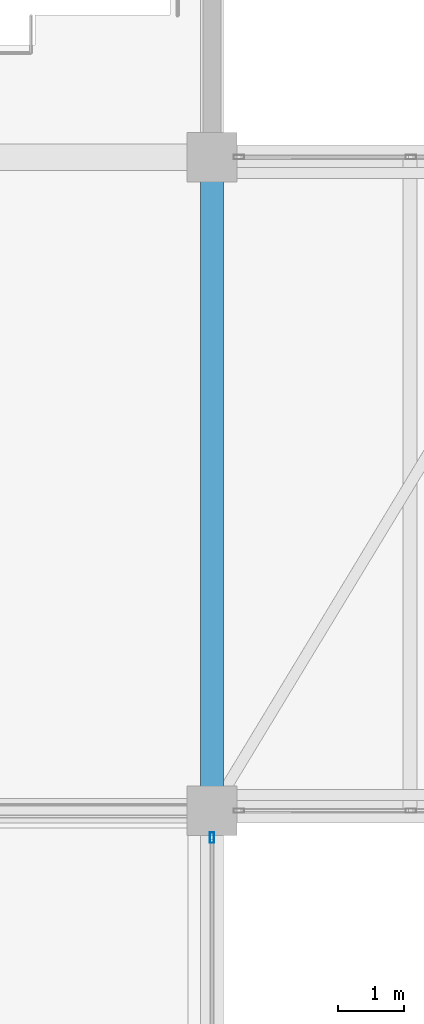
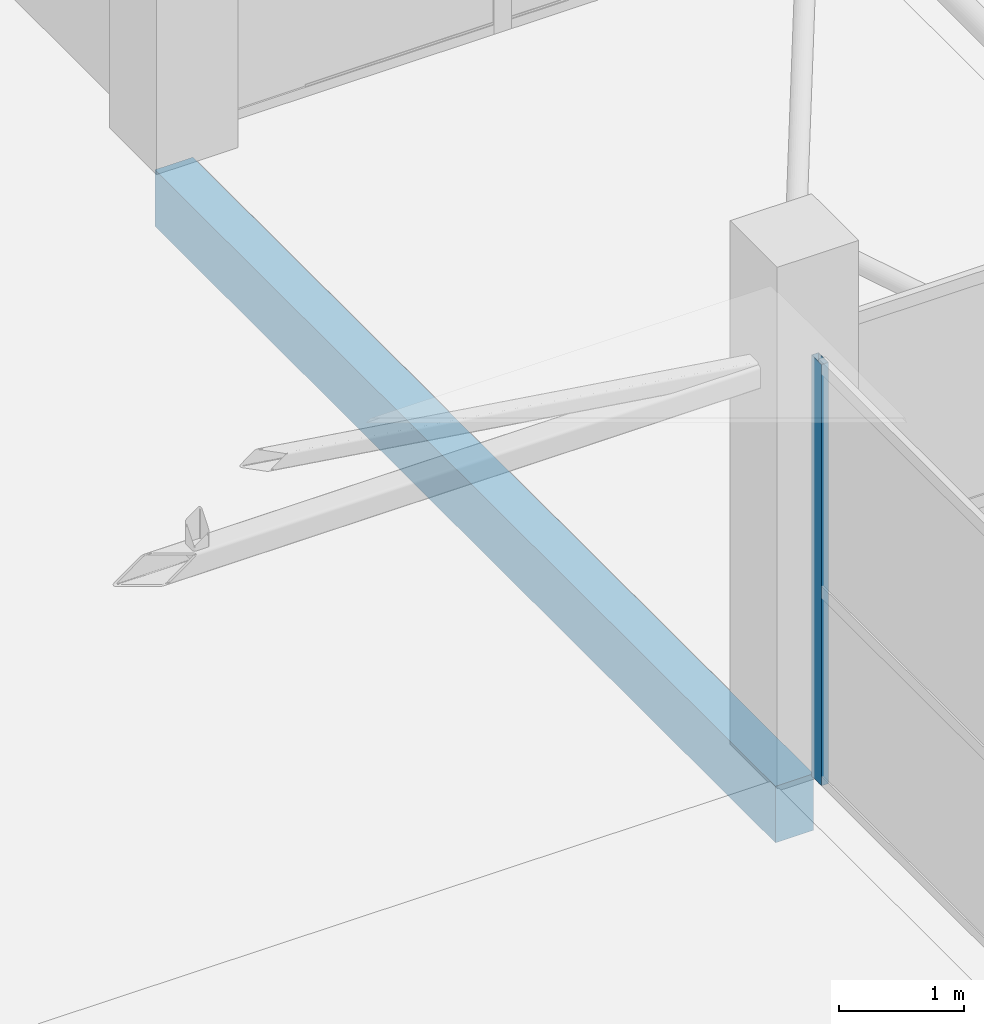
# One storey, part 30 of 67: 1 beam, 1 member, 1 element without a shape of its own.
"""IFC4 building model written with IfcOpenShell, lengths in metres."""

from ifc_helpers import new_model, si_unit, direction, frame, origin, origin_2d, place, context, subcontext, project, spatial, rectangle, hollow_rectangle, extrude, material, layer, layer_set, material_profile, profile_set, type_object, element, aggregate, save


model = new_model("IFC4")

# Units and contexts
model_context = context("Model", 3, precision=1e-05, world=origin(), true_north=direction((0.0, 1.0)))
body_context = subcontext(model_context, "Body", "Model", "MODEL_VIEW")
ifc_project = project(units=[si_unit("LENGTHUNIT", "METRE"), si_unit("AREAUNIT", "SQUARE_METRE"), si_unit("VOLUMEUNIT", "CUBIC_METRE"), si_unit("PLANEANGLEUNIT", "RADIAN"), si_unit("MASSUNIT", "GRAM", prefix="KILO")], contexts=[model_context])

# Site, building, storey
site_placement = place(None, origin())
site = spatial("IfcSite", under=ifc_project, at=site_placement, CompositionType="ELEMENT")
building_placement = place(site_placement, origin())
building = spatial("IfcBuilding", under=site, at=building_placement, Name="Sillaruma Civic Art Gallery", CompositionType="ELEMENT")
storey_placement = place(building_placement, frame((0.0, 0.0, 46.919921875)))
storey = spatial("IfcBuildingStorey", under=building, at=storey_placement, Name="L09", CompositionType="ELEMENT", Elevation=46.919921875)

# Beam
ifc_material_1 = material(Name="Concrete H35 (35 MPa)", Category="concrete")
ifc_material_profile_1 = material_profile(ifc_material_1, rectangle(XDim=0.35009765625, YDim=0.550048828125, at=origin_2d()), Name="RCB350x550")
ifc_profile_set_1 = profile_set([ifc_material_profile_1], Name="Concrete H35 (35 MPa)")
beam_type = type_object("IfcBeamType", Name="BM-SPANDREL-RCB350x550", PredefinedType="SPANDREL", material=ifc_profile_set_1)
beam_placement = place(storey_placement, frame((92.0, 69.300048828125, -0.52490234375), z_axis=(0.0, 1.0, 0.0), x_axis=(-1.0, 0.0, 0.0)))
element("IfcBeam", 1, at=beam_placement, inside=storey, type_object=beam_type, Name="Beam BS-04 (L08:K:8-9)", PredefinedType="SPANDREL", context=body_context, shape_type="SweptSolid", body=[
    extrude(rectangle(XDim=0.35009765625, YDim=0.550048828125, at=origin_2d()), origin(), (0.0, 0.0, 1.0), 9.89990234375),
])

# Curtain wall, member
ifc_material_2 = material(Name="Thermally Broken Extruded Aluminium 6063-T6", Category="aluminium")
ifc_layer = layer(ifc_material_2, 0.159912109375, Name="Thermally Broken Extruded Aluminium 6063-T6")
ifc_layer_set = layer_set([ifc_layer], Name="Thermally Broken Extruded Aluminium 6063-T6")
curtain_wall_type = type_object("IfcCurtainWallType", Name="CW-UNI-65", PredefinedType="NOTDEFINED", material=ifc_layer_set)
curtain_wall_placement = place(storey_placement, origin())
curtain_wall = element("IfcCurtainWall", 2, at=curtain_wall_placement, inside=storey, type_object=curtain_wall_type, Name="Unitised Curtain Wall CW-65 (CW-L09-WBE-5)", PredefinedType="NOTDEFINED")
ifc_material_profile_2 = material_profile(ifc_material_2, hollow_rectangle(XDim=0.06494140625, YDim=0.159912109375, WallThickness=0.00390625, at=origin_2d()), Name="CWM65x160")
ifc_profile_set_2 = profile_set([ifc_material_profile_2], Name="Thermally Broken Extruded Aluminium 6063-T6")
member_type = type_object("IfcMemberType", Name="MEM-MUL-CWM65x160", PredefinedType="MULLION", material=ifc_profile_set_2)
member_placement = place(storey_placement, frame((92.0, 68.892578125, 0.0), z_axis=(0.0, 0.0, 1.0), x_axis=(-1.0, 0.0, 0.0)))
member = element("IfcMember", 3, at=member_placement, type_object=member_type, Name="CW-65 mullion 3", PredefinedType="MULLION", context=body_context, shape_type="SweptSolid", body=[
    extrude(hollow_rectangle(XDim=0.06494140625, YDim=0.159912109375, WallThickness=0.00390625, at=origin_2d()), origin(), (0.0, 0.0, 1.0), 4.10009765625),
])
aggregate(curtain_wall, [member])

save(model, "model.ifc")
